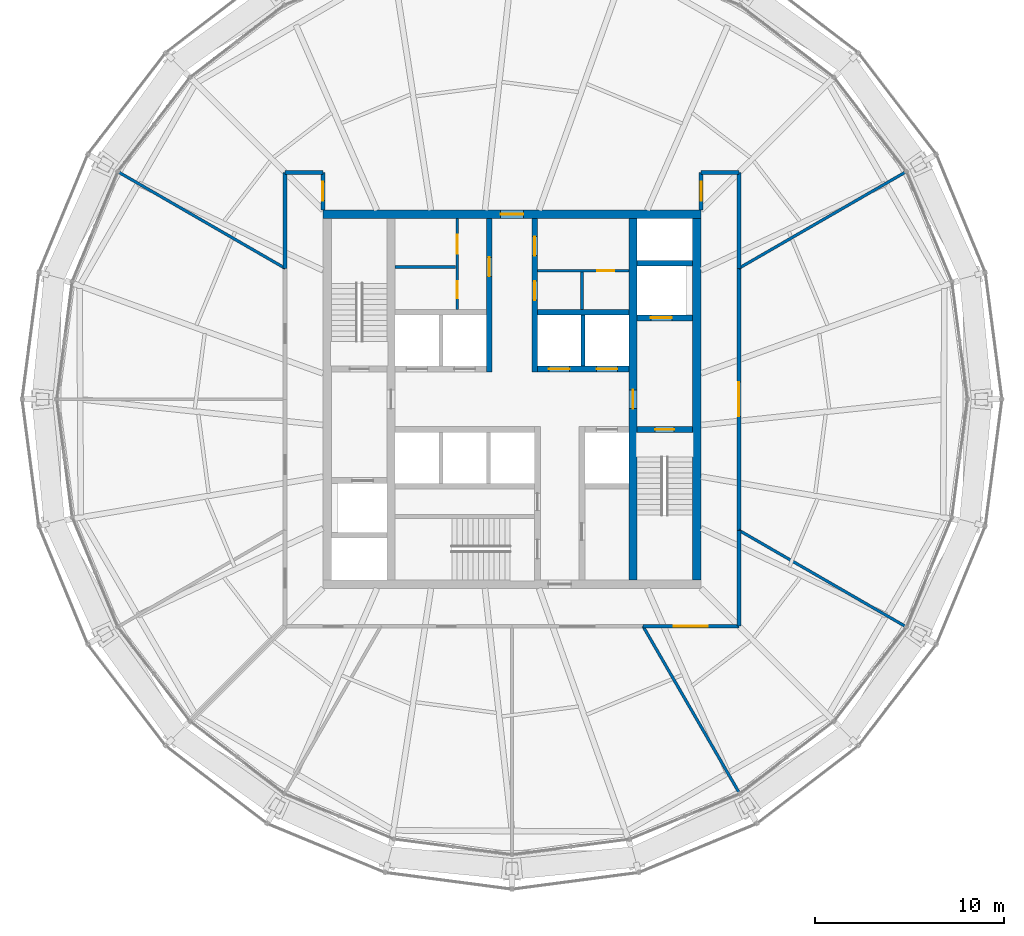
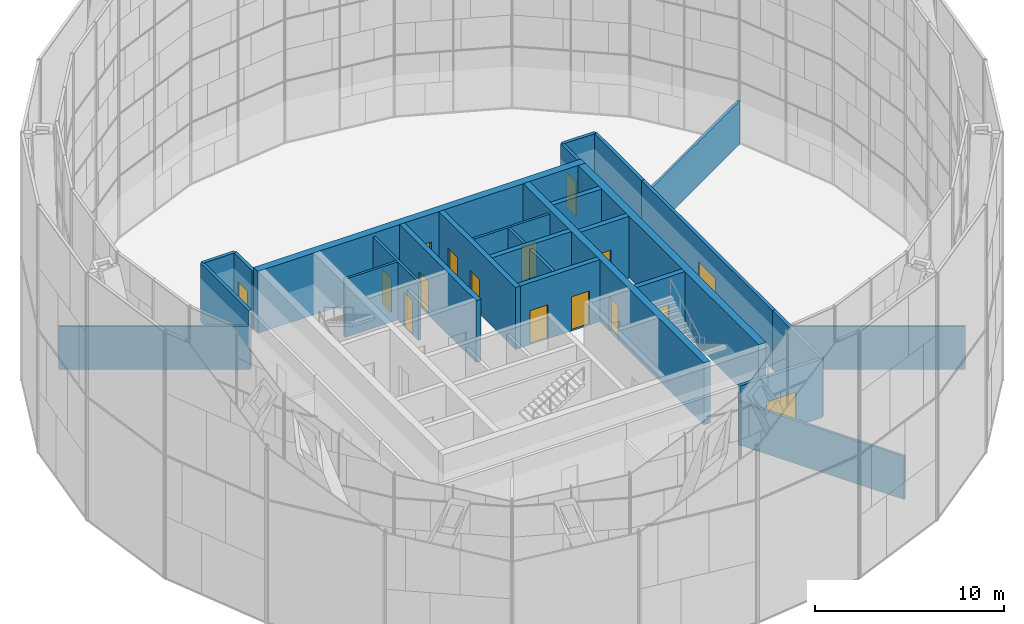
# One storey, part 28 of 30: 28 walls, 16 doors, 16 openings.
"""IFC4 building model written with IfcOpenShell, lengths in metres."""

from ifc_helpers import new_model, si_unit, direction, frame, frame_2d, origin, place, context, subcontext, project, spatial, rectangle, extrude, material, layer, layer_set, type_object, element, fill, save


model = new_model("IFC4")

# Units and contexts
model_context = context("Model", 3, precision=1e-05, world=origin(), true_north=direction((0.0, 1.0)))
body_context = subcontext(model_context, "Body", "Model", "MODEL_VIEW")
ifc_project = project(units=[si_unit("LENGTHUNIT", "METRE"), si_unit("AREAUNIT", "SQUARE_METRE"), si_unit("VOLUMEUNIT", "CUBIC_METRE"), si_unit("PLANEANGLEUNIT", "RADIAN"), si_unit("MASSUNIT", "GRAM", prefix="KILO")], contexts=[model_context])

# Site, building, storey
site_placement = place(None, origin())
site = spatial("IfcSite", under=ifc_project, at=site_placement, CompositionType="ELEMENT")
building_placement = place(site_placement, origin())
building = spatial("IfcBuilding", under=site, at=building_placement, Name="Golbaran Civic Tower", CompositionType="ELEMENT")
storey_placement = place(building_placement, frame((0.0, 0.0, 167.0)))
storey = spatial("IfcBuildingStorey", under=building, at=storey_placement, Name="L40", CompositionType="ELEMENT", Elevation=167.0)

# Wall, opening, door
ifc_material_1 = material(Name="Concrete block", Category="concrete")
ifc_layer_1 = layer(ifc_material_1, 0.14990234375, Name="Concrete block")
ifc_layer_set_1 = layer_set([ifc_layer_1], Name="Concrete block")
wall_type_1 = type_object("IfcWallType", Name="BLOCKWORK PARTITION 150", PredefinedType="PARTITIONING", material=ifc_layer_set_1)
wall_1_placement = place(storey_placement, frame((1.35009765625, 6.800048828125, 0.0), z_axis=(0.0, 0.0, 1.0), x_axis=(1.0, 0.0, 0.0)))
wall_1 = element("IfcWall", 1, at=wall_1_placement, inside=storey, type_object=wall_type_1, Name="Toilet block partition TN1 L40", PredefinedType="PARTITIONING", context=body_context, shape_type="SweptSolid", body=[
    extrude(rectangle(XDim=4.849853515625, YDim=0.14990234375, at=frame_2d((2.4248046875, 0.0))), origin(), (0.0, 0.0, 1.0), 3.75),
])
opening_1_placement = place(wall_1_placement, frame((3.14990234375, 0.0, 0.0)))
opening_1 = element("IfcOpeningElement", 2, at=opening_1_placement, cuts=wall_1, Name="Opening L40.CLN", PredefinedType="OPENING", context=body_context, shape_type="SweptSolid", body=[
    extrude(rectangle(XDim=0.89990234375, YDim=2.199951171875, at=frame_2d((0.449951171875, 1.10009765625))), frame((0.0, 0.0849609375, 0.0), z_axis=(0.0, -1.0, 0.0), x_axis=(1.0, 0.0, 0.0)), (0.0, 0.0, 1.0), 0.169921875),
])
ifc_material_2 = material(Name="Timber door set in steel frame", Category="steel")
door_type_1 = type_object("IfcDoorType", Name="RISER DOOR 900x2200", OperationType="SINGLE_SWING_LEFT", PredefinedType="DOOR", material=ifc_material_2)
door_1_placement = place(opening_1_placement, origin())
door_1 = element("IfcDoor", 3, at=door_1_placement, inside=storey, type_object=door_type_1, Name="Floor Store door", OperationType="SINGLE_SWING_RIGHT", OverallHeight=2.199951171875, OverallWidth=0.89990234375, PredefinedType="DOOR", context=body_context, shape_type="SweptSolid", body=[
    extrude(rectangle(XDim=0.89990234375, YDim=2.199951171875, at=frame_2d((0.449951171875, 1.10009765625))), frame((0.0, 0.02490234375, 0.0), z_axis=(0.0, -1.0, 0.0), x_axis=(1.0, 0.0, 0.0)), (0.0, 0.0, 1.0), 0.050048828125),
])
fill(opening_1, door_1)

# Wall
wall_2_placement = place(storey_placement, frame((3.699951171875, 4.75, 0.0), z_axis=(0.0, 0.0, 1.0), x_axis=(0.0, 1.0, 0.0)))
element("IfcWall", 4, at=wall_2_placement, inside=storey, type_object=wall_type_1, Name="Toilet block partition TN2 L40", PredefinedType="PARTITIONING", context=body_context, shape_type="SweptSolid", body=[
    extrude(rectangle(XDim=1.97509765625, YDim=0.14990234375, at=frame_2d((0.987548828125, 0.0))), origin(), (0.0, 0.0, 1.0), 3.75),
])

# Wall, opening, door
ifc_material_3 = material(Name="Concrete C50/60", Category="concrete")
ifc_layer_2 = layer(ifc_material_3, 0.39990234375, Name="Concrete C50/60")
ifc_layer_set_2 = layer_set([ifc_layer_2], Name="Concrete C50/60")
wall_type_2 = type_object("IfcWallType", Name="CORE WALL CONCRETE 400", PredefinedType="SOLIDWALL", material=ifc_layer_set_2)
wall_3_placement = place(storey_placement, frame((6.39990234375, 9.550048828125, 0.0), z_axis=(0.0, 0.0, 1.0), x_axis=(0.0, -1.0, 0.0)))
wall_3 = element("IfcWall", 5, at=wall_3_placement, inside=storey, type_object=wall_type_2, Name="Core wall IE L40", PredefinedType="SOLIDWALL", context=body_context, shape_type="SweptSolid", body=[
    extrude(rectangle(XDim=19.10009765625, YDim=0.39990234375, at=frame_2d((9.550048828125, 0.0))), origin(), (0.0, 0.0, 1.0), 4.0),
])
opening_2_placement = place(wall_3_placement, frame((9.050048828125, 0.0, 0.0)))
opening_2 = element("IfcOpeningElement", 6, at=opening_2_placement, cuts=wall_3, Name="Opening L40.FL2", PredefinedType="OPENING", context=body_context, shape_type="SweptSolid", body=[
    extrude(rectangle(XDim=1.0, YDim=2.199951171875, at=frame_2d((0.5, 1.10009765625))), frame((0.0, 0.2099609375, 0.0), z_axis=(0.0, -1.0, 0.0), x_axis=(1.0, 0.0, 0.0)), (0.0, 0.0, 1.0), 0.419921875),
])
door_type_2 = type_object("IfcDoorType", Name="STAIR DOOR 1000x2200", OperationType="SINGLE_SWING_LEFT", PredefinedType="DOOR", material=ifc_material_2)
door_2_placement = place(opening_2_placement, origin())
door_2 = element("IfcDoor", 7, at=door_2_placement, inside=storey, type_object=door_type_2, Name="Fire-fighting lobby FL2 door", OperationType="SINGLE_SWING_RIGHT", OverallHeight=2.199951171875, OverallWidth=1.0, PredefinedType="DOOR", context=body_context, shape_type="SweptSolid", body=[
    extrude(rectangle(XDim=1.0, YDim=2.199951171875, at=frame_2d((0.5, 1.10009765625))), frame((0.0, 0.02490234375, 0.0), z_axis=(0.0, -1.0, 0.0), x_axis=(1.0, 0.0, 0.0)), (0.0, 0.0, 1.0), 0.050048828125),
])
fill(opening_2, door_2)

ifc_layer_3 = layer(ifc_material_3, 0.449951171875, Name="Concrete C50/60")
ifc_layer_set_3 = layer_set([ifc_layer_3], Name="Concrete C50/60")
wall_type_3 = type_object("IfcWallType", Name="CORE WALL CONCRETE 450", PredefinedType="SOLIDWALL", material=ifc_layer_set_3)
wall_4_placement = place(storey_placement, frame((-10.0, 9.77490234375, 0.0), z_axis=(0.0, 0.0, 1.0), x_axis=(1.0, 0.0, 0.0)))
wall_4 = element("IfcWall", 8, at=wall_4_placement, inside=storey, type_object=wall_type_3, Name="Core wall CN L40", PredefinedType="SOLIDWALL", context=body_context, shape_type="SweptSolid", body=[
    extrude(rectangle(XDim=20.0, YDim=0.449951171875, at=frame_2d((10.0, 0.0))), origin(), (0.0, 0.0, 1.0), 4.0),
])
opening_3_placement = place(wall_4_placement, frame((9.39990234375, 0.0, 0.0)))
opening_3 = element("IfcOpeningElement", 9, at=opening_3_placement, cuts=wall_4, Name="Opening L40.CN", PredefinedType="OPENING", context=body_context, shape_type="SweptSolid", body=[
    extrude(rectangle(XDim=1.199951171875, YDim=2.199951171875, at=frame_2d((0.60009765625, 1.10009765625))), frame((0.0, 0.23486328125, 0.0), z_axis=(0.0, -1.0, 0.0), x_axis=(1.0, 0.0, 0.0)), (0.0, 0.0, 1.0), 0.469970703125),
])
door_type_3 = type_object("IfcDoorType", Name="CORE DOOR 1200x2200", OperationType="DOUBLE_DOOR_SINGLE_SWING", PredefinedType="DOOR", material=ifc_material_2)
door_3_placement = place(opening_3_placement, origin())
door_3 = element("IfcDoor", 10, at=door_3_placement, inside=storey, type_object=door_type_3, Name="Core door north", OperationType="DOUBLE_DOOR_SINGLE_SWING", OverallHeight=2.199951171875, OverallWidth=1.199951171875, PredefinedType="DOOR", context=body_context, shape_type="SweptSolid", body=[
    extrude(rectangle(XDim=1.199951171875, YDim=2.199951171875, at=frame_2d((0.60009765625, 1.10009765625))), frame((0.0, 0.02490234375, 0.0), z_axis=(0.0, -1.0, 0.0), x_axis=(1.0, 0.0, 0.0)), (0.0, 0.0, 1.0), 0.050048828125),
])
fill(opening_3, door_3)

# Wall
wall_5_placement = place(storey_placement, frame((9.77490234375, -9.550048828125, 0.0), z_axis=(0.0, 0.0, 1.0), x_axis=(0.0, 1.0, 0.0)))
element("IfcWall", 11, at=wall_5_placement, inside=storey, type_object=wall_type_3, Name="Core wall CE L40", PredefinedType="SOLIDWALL", context=body_context, shape_type="SweptSolid", body=[
    extrude(rectangle(XDim=19.10009765625, YDim=0.449951171875, at=frame_2d((9.550048828125, 0.0))), origin(), (0.0, 0.0, 1.0), 4.0),
])

# Wall, opening, door
ifc_material_4 = material(Name="Gypsum board on steel studs, fire-rated", Category="steel")
ifc_layer_4 = layer(ifc_material_4, 0.199951171875, Name="Gypsum board on steel studs, fire-rated")
ifc_layer_set_4 = layer_set([ifc_layer_4], Name="Gypsum board on steel studs, fire-rated")
wall_type_4 = type_object("IfcWallType", Name="CORRIDOR WALL 200", PredefinedType="PARTITIONING", material=ifc_layer_set_4)
wall_6_placement = place(storey_placement, frame((12.0, -6.92822265625, 0.0), z_axis=(0.0, 0.0, 1.0), x_axis=(0.0, 1.0, 0.0)))
wall_6 = element("IfcWall", 12, at=wall_6_placement, inside=storey, type_object=wall_type_4, Name="Corridor wall L40", PredefinedType="PARTITIONING", context=body_context, shape_type="SweptSolid", body=[
    extrude(rectangle(XDim=13.8564453125, YDim=0.199951171875, at=frame_2d((6.92822265625, 0.0))), origin(), (0.0, 0.0, 1.0), 3.800048828125),
])
opening_4_placement = place(wall_6_placement, frame((6.0283203125, 0.0, 0.0)))
opening_4 = element("IfcOpeningElement", 13, at=opening_4_placement, cuts=wall_6, Name="Opening L40.02", PredefinedType="OPENING", context=body_context, shape_type="SweptSolid", body=[
    extrude(rectangle(XDim=1.800048828125, YDim=2.199951171875, at=frame_2d((0.89990234375, 1.10009765625))), frame((0.0, 0.10986328125, 0.0), z_axis=(0.0, -1.0, 0.0), x_axis=(1.0, 0.0, 0.0)), (0.0, 0.0, 1.0), 0.219970703125),
])
door_type_4 = type_object("IfcDoorType", Name="OFFICE DOUBLE DOOR 1800x2200", OperationType="DOUBLE_DOOR_SINGLE_SWING", PredefinedType="DOOR", material=ifc_material_2)
door_4_placement = place(opening_4_placement, origin())
door_4 = element("IfcDoor", 14, at=door_4_placement, inside=storey, type_object=door_type_4, Name="Open Office door L40", OperationType="DOUBLE_DOOR_SINGLE_SWING", OverallHeight=2.199951171875, OverallWidth=1.800048828125, PredefinedType="DOOR", context=body_context, shape_type="SweptSolid", body=[
    extrude(rectangle(XDim=1.800048828125, YDim=2.199951171875, at=frame_2d((0.89990234375, 1.10009765625))), frame((0.0, 0.02490234375, 0.0), z_axis=(0.0, -1.0, 0.0), x_axis=(1.0, 0.0, 0.0)), (0.0, 0.0, 1.0), 0.050048828125),
])
fill(opening_4, door_4)

# Walls
wall_7_placement = place(storey_placement, frame((12.0, 6.92822265625, 0.0), z_axis=(0.0, 0.0, 1.0), x_axis=(0.0, 1.0, 0.0)))
element("IfcWall", 15, at=wall_7_placement, inside=storey, type_object=wall_type_4, Name="Corridor wall L40", PredefinedType="PARTITIONING", context=body_context, shape_type="SweptSolid", body=[
    extrude(rectangle(XDim=5.07177734375, YDim=0.199951171875, at=frame_2d((2.535888671875, 0.0))), origin(), (0.0, 0.0, 1.0), 3.800048828125),
])
for number, where, z_axis, x_axis, name in (
    (16, (12.0, 12.0, 0.0), (0.0, 0.0, 1.0), (-1.0, 0.0, 0.0), "Corridor wall L40"),
    (17, (-10.0, 12.0, 0.0), (0.0, 0.0, 1.0), (-1.0, 0.0, 0.0), "Corridor wall L40"),
):
    element("IfcWall", number, at=place(storey_placement, frame(where, z_axis=z_axis, x_axis=x_axis)), inside=storey, type_object=wall_type_4, Name=name, PredefinedType="PARTITIONING", context=body_context, shape_type="SweptSolid", body=[
        extrude(rectangle(XDim=2.0, YDim=0.199951171875, at=frame_2d((1.0, 0.0))), origin(), (0.0, 0.0, 1.0), 3.800048828125),
    ])
wall_8_placement = place(storey_placement, frame((-12.0, 12.0, 0.0), z_axis=(0.0, 0.0, 1.0), x_axis=(0.0, -1.0, 0.0)))
element("IfcWall", 18, at=wall_8_placement, inside=storey, type_object=wall_type_4, Name="Corridor wall L40", PredefinedType="PARTITIONING", context=body_context, shape_type="SweptSolid", body=[
    extrude(rectangle(XDim=5.07177734375, YDim=0.199951171875, at=frame_2d((2.535888671875, 0.0))), origin(), (0.0, 0.0, 1.0), 3.800048828125),
])

# Wall, opening, door
wall_9_placement = place(storey_placement, frame((6.92822265625, -12.0, 0.0), z_axis=(0.0, 0.0, 1.0), x_axis=(1.0, 0.0, 0.0)))
wall_9 = element("IfcWall", 19, at=wall_9_placement, inside=storey, type_object=wall_type_4, Name="Corridor wall L40", PredefinedType="PARTITIONING", context=body_context, shape_type="SweptSolid", body=[
    extrude(rectangle(XDim=5.07177734375, YDim=0.199951171875, at=frame_2d((2.535888671875, 0.0))), origin(), (0.0, 0.0, 1.0), 3.800048828125),
])
opening_5_placement = place(wall_9_placement, frame((1.635986328125, 0.0, 0.0)))
opening_5 = element("IfcOpeningElement", 20, at=opening_5_placement, cuts=wall_9, Name="Opening L40.09", PredefinedType="OPENING", context=body_context, shape_type="SweptSolid", body=[
    extrude(rectangle(XDim=1.800048828125, YDim=2.199951171875, at=frame_2d((0.89990234375, 1.10009765625))), frame((0.0, 0.10986328125, 0.0), z_axis=(0.0, -1.0, 0.0), x_axis=(1.0, 0.0, 0.0)), (0.0, 0.0, 1.0), 0.219970703125),
])
door_5_placement = place(opening_5_placement, origin())
door_5 = element("IfcDoor", 21, at=door_5_placement, inside=storey, type_object=door_type_4, Name="Open Office door L40", OperationType="DOUBLE_DOOR_SINGLE_SWING", OverallHeight=2.199951171875, OverallWidth=1.800048828125, PredefinedType="DOOR", context=body_context, shape_type="SweptSolid", body=[
    extrude(rectangle(XDim=1.800048828125, YDim=2.199951171875, at=frame_2d((0.89990234375, 1.10009765625))), frame((0.0, 0.02490234375, 0.0), z_axis=(0.0, -1.0, 0.0), x_axis=(1.0, 0.0, 0.0)), (0.0, 0.0, 1.0), 0.050048828125),
])
fill(opening_5, door_5)

# Wall
wall_10_placement = place(storey_placement, frame((12.0, -12.0, 0.0), z_axis=(0.0, 0.0, 1.0), x_axis=(0.0, 1.0, 0.0)))
element("IfcWall", 22, at=wall_10_placement, inside=storey, type_object=wall_type_4, Name="Corridor wall L40", PredefinedType="PARTITIONING", context=body_context, shape_type="SweptSolid", body=[
    extrude(rectangle(XDim=5.07177734375, YDim=0.199951171875, at=frame_2d((2.535888671875, 0.0))), origin(), (0.0, 0.0, 1.0), 3.800048828125),
])

# Wall, opening, door
wall_11_placement = place(storey_placement, frame((-10.0, 10.0, 0.0), z_axis=(0.0, 0.0, 1.0), x_axis=(0.0, 1.0, 0.0)))
wall_11 = element("IfcWall", 23, at=wall_11_placement, inside=storey, type_object=wall_type_4, Name="Corridor end wall L40", PredefinedType="PARTITIONING", context=body_context, shape_type="SweptSolid", body=[
    extrude(rectangle(XDim=2.0, YDim=0.199951171875, at=frame_2d((1.0, 0.0))), origin(), (0.0, 0.0, 1.0), 3.800048828125),
])
opening_6_placement = place(wall_11_placement, frame((0.5, 0.0, 0.0)))
opening_6 = element("IfcOpeningElement", 24, at=opening_6_placement, cuts=wall_11, Name="Opening L40.11", PredefinedType="OPENING", context=body_context, shape_type="SweptSolid", body=[
    extrude(rectangle(XDim=1.0, YDim=2.199951171875, at=frame_2d((0.5, 1.10009765625))), frame((0.0, 0.10986328125, 0.0), z_axis=(0.0, -1.0, 0.0), x_axis=(1.0, 0.0, 0.0)), (0.0, 0.0, 1.0), 0.219970703125),
])
door_type_5 = type_object("IfcDoorType", Name="OFFICE DOOR 1000x2200", OperationType="SINGLE_SWING_LEFT", PredefinedType="DOOR", material=ifc_material_2)
door_6_placement = place(opening_6_placement, origin())
door_6 = element("IfcDoor", 25, at=door_6_placement, inside=storey, type_object=door_type_5, Name="Open Office door L40", OperationType="SINGLE_SWING_LEFT", OverallHeight=2.199951171875, OverallWidth=1.0, PredefinedType="DOOR", context=body_context, shape_type="SweptSolid", body=[
    extrude(rectangle(XDim=1.0, YDim=2.199951171875, at=frame_2d((0.5, 1.10009765625))), frame((0.0, 0.02490234375, 0.0), z_axis=(0.0, -1.0, 0.0), x_axis=(1.0, 0.0, 0.0)), (0.0, 0.0, 1.0), 0.050048828125),
])
fill(opening_6, door_6)

wall_12_placement = place(storey_placement, frame((10.0, 10.0, 0.0), z_axis=(0.0, 0.0, 1.0), x_axis=(0.0, 1.0, 0.0)))
wall_12 = element("IfcWall", 26, at=wall_12_placement, inside=storey, type_object=wall_type_4, Name="Corridor end wall L40", PredefinedType="PARTITIONING", context=body_context, shape_type="SweptSolid", body=[
    extrude(rectangle(XDim=2.0, YDim=0.199951171875, at=frame_2d((1.0, 0.0))), origin(), (0.0, 0.0, 1.0), 3.800048828125),
])
opening_7_placement = place(wall_12_placement, frame((0.5, 0.0, 0.0)))
opening_7 = element("IfcOpeningElement", 27, at=opening_7_placement, cuts=wall_12, Name="Opening L40.12", PredefinedType="OPENING", context=body_context, shape_type="SweptSolid", body=[
    extrude(rectangle(XDim=1.0, YDim=2.199951171875, at=frame_2d((0.5, 1.10009765625))), frame((0.0, 0.10986328125, 0.0), z_axis=(0.0, -1.0, 0.0), x_axis=(1.0, 0.0, 0.0)), (0.0, 0.0, 1.0), 0.219970703125),
])
door_7_placement = place(opening_7_placement, origin())
door_7 = element("IfcDoor", 28, at=door_7_placement, inside=storey, type_object=door_type_5, Name="Open Office door L40", OperationType="SINGLE_SWING_LEFT", OverallHeight=2.199951171875, OverallWidth=1.0, PredefinedType="DOOR", context=body_context, shape_type="SweptSolid", body=[
    extrude(rectangle(XDim=1.0, YDim=2.199951171875, at=frame_2d((0.5, 1.10009765625))), frame((0.0, 0.02490234375, 0.0), z_axis=(0.0, -1.0, 0.0), x_axis=(1.0, 0.0, 0.0)), (0.0, 0.0, 1.0), 0.050048828125),
])
fill(opening_7, door_7)

# Walls
ifc_layer_5 = layer(ifc_material_1, 0.199951171875, Name="Concrete block")
ifc_layer_set_5 = layer_set([ifc_layer_5], Name="Concrete block")
wall_type_5 = type_object("IfcWallType", Name="LIFT SEPARATOR WALL 200", PredefinedType="SOLIDWALL", material=ifc_layer_set_5)
wall_13_placement = place(storey_placement, frame((3.75, 1.75, 0.0), z_axis=(0.0, 0.0, 1.0), x_axis=(0.0, 1.0, 0.0)))
element("IfcWall", 29, at=wall_13_placement, inside=storey, type_object=wall_type_5, Name="Core partition SNE L40", PredefinedType="SOLIDWALL", context=body_context, shape_type="SweptSolid", body=[
    extrude(rectangle(XDim=2.699951171875, YDim=0.199951171875, at=frame_2d((1.35009765625, 0.0))), origin(), (0.0, 0.0, 1.0), 3.75),
])
ifc_material_5 = material(Name="Gypsum board on steel studs", Category="steel")
ifc_layer_6 = layer(ifc_material_5, 0.14990234375, Name="Gypsum board on steel studs")
ifc_layer_set_6 = layer_set([ifc_layer_6], Name="Gypsum board on steel studs")
wall_type_6 = type_object("IfcWallType", Name="OFFICE PARTITION 150", PredefinedType="PARTITIONING", material=ifc_layer_set_6)
for number, where, z_axis, x_axis, name in (
    (30, (12.0, -6.92822265625, 0.0), (0.0, 0.0, 1.0), (0.866025941747, -0.49999906822, 0.0), "Partition 330 L40"),
    (31, (12.0, 6.92822265625, 0.0), (0.0, 0.0, 1.0), (0.866025941747, 0.49999906822, 0.0), "Partition 30 L40"),
    (32, (-12.0, 6.92822265625, 0.0), (0.0, 0.0, 1.0), (-0.866025941747, 0.49999906822, 0.0), "Partition 150 L40"),
    (33, (6.92822265625, -12.0, 0.0), (0.0, 0.0, 1.0), (0.49999906822, -0.866025941747, 0.0), "Partition 300 L40"),
):
    element("IfcWall", number, at=place(storey_placement, frame(where, z_axis=z_axis, x_axis=x_axis)), inside=storey, type_object=wall_type_6, Name=name, PredefinedType="PARTITIONING", context=body_context, shape_type="SweptSolid", body=[
        extrude(rectangle(XDim=10.1357421875, YDim=0.14990234375, at=frame_2d((5.06787109375, 0.0))), origin(), (0.0, 0.0, 1.0), 2.7900390625),
    ])

# Wall, openings, doors
ifc_layer_7 = layer(ifc_material_3, 0.300048828125, Name="Concrete C50/60")
ifc_layer_set_7 = layer_set([ifc_layer_7], Name="Concrete C50/60")
wall_type_7 = type_object("IfcWallType", Name="SHAFT WALL CONCRETE 300", PredefinedType="SOLIDWALL", material=ifc_layer_set_7)
wall_14_placement = place(storey_placement, frame((1.35009765625, 1.60009765625, 0.0), z_axis=(0.0, 0.0, 1.0), x_axis=(1.0, 0.0, 0.0)))
wall_14 = element("IfcWall", 34, at=wall_14_placement, inside=storey, type_object=wall_type_7, Name="Core wall FNE L40", PredefinedType="SOLIDWALL", context=body_context, shape_type="SweptSolid", body=[
    extrude(rectangle(XDim=4.849853515625, YDim=0.300048828125, at=frame_2d((2.4248046875, 0.0))), origin(), (0.0, 0.0, 1.0), 4.0),
])
opening_8_placement = place(wall_14_placement, frame((0.60009765625, 0.0, 0.0)))
opening_8 = element("IfcOpeningElement", 35, at=opening_8_placement, cuts=wall_14, Name="Opening L40.LD-Z3H", PredefinedType="OPENING", context=body_context, shape_type="SweptSolid", body=[
    extrude(rectangle(XDim=1.10009765625, YDim=2.199951171875, at=frame_2d((0.550048828125, 1.10009765625))), frame((0.0, 0.159912109375, 0.0), z_axis=(0.0, -1.0, 0.0), x_axis=(1.0, 0.0, 0.0)), (0.0, 0.0, 1.0), 0.320068359375),
])
opening_9_placement = place(wall_14_placement, frame((3.125, 0.0, 0.0)))
opening_9 = element("IfcOpeningElement", 36, at=opening_9_placement, cuts=wall_14, Name="Opening L40.LD-Z4H", PredefinedType="OPENING", context=body_context, shape_type="SweptSolid", body=[
    extrude(rectangle(XDim=1.10009765625, YDim=2.199951171875, at=frame_2d((0.550048828125, 1.10009765625))), frame((0.0, 0.159912109375, 0.0), z_axis=(0.0, -1.0, 0.0), x_axis=(1.0, 0.0, 0.0)), (0.0, 0.0, 1.0), 0.320068359375),
])
ifc_material_6 = material(Name="Stainless steel", Category="steel")
door_type_6 = type_object("IfcDoorType", Name="LIFT LANDING DOOR 1100x2200", OperationType="SLIDING_TO_LEFT", PredefinedType="DOOR", material=ifc_material_6)
door_8_placement = place(opening_8_placement, origin())
door_8 = element("IfcDoor", 37, at=door_8_placement, inside=storey, type_object=door_type_6, Name="Lift landing door Z3H", OperationType="SLIDING_TO_LEFT", OverallHeight=2.199951171875, OverallWidth=1.10009765625, PredefinedType="DOOR", context=body_context, shape_type="SweptSolid", body=[
    extrude(rectangle(XDim=1.10009765625, YDim=2.199951171875, at=frame_2d((0.550048828125, 1.10009765625))), frame((0.0, 0.02490234375, 0.0), z_axis=(0.0, -1.0, 0.0), x_axis=(1.0, 0.0, 0.0)), (0.0, 0.0, 1.0), 0.050048828125),
])
fill(opening_8, door_8)
door_9_placement = place(opening_9_placement, origin())
door_9 = element("IfcDoor", 38, at=door_9_placement, inside=storey, type_object=door_type_6, Name="Lift landing door Z4H", OperationType="SLIDING_TO_LEFT", OverallHeight=2.199951171875, OverallWidth=1.10009765625, PredefinedType="DOOR", context=body_context, shape_type="SweptSolid", body=[
    extrude(rectangle(XDim=1.10009765625, YDim=2.199951171875, at=frame_2d((0.550048828125, 1.10009765625))), frame((0.0, 0.02490234375, 0.0), z_axis=(0.0, -1.0, 0.0), x_axis=(1.0, 0.0, 0.0)), (0.0, 0.0, 1.0), 0.050048828125),
])
fill(opening_9, door_9)

# Wall
wall_15_placement = place(storey_placement, frame((1.35009765625, 4.60009765625, 0.0), z_axis=(0.0, 0.0, 1.0), x_axis=(1.0, 0.0, 0.0)))
element("IfcWall", 39, at=wall_15_placement, inside=storey, type_object=wall_type_7, Name="Core wall BNE L40", PredefinedType="SOLIDWALL", context=body_context, shape_type="SweptSolid", body=[
    extrude(rectangle(XDim=4.849853515625, YDim=0.300048828125, at=frame_2d((2.4248046875, 0.0))), origin(), (0.0, 0.0, 1.0), 4.0),
])

# Wall, opening, door
wall_16_placement = place(storey_placement, frame((-1.199951171875, 1.449951171875, 0.0), z_axis=(0.0, 0.0, 1.0), x_axis=(0.0, 1.0, 0.0)))
wall_16 = element("IfcWall", 40, at=wall_16_placement, inside=storey, type_object=wall_type_7, Name="Core wall PNW L40", PredefinedType="SOLIDWALL", context=body_context, shape_type="SweptSolid", body=[
    extrude(rectangle(XDim=8.10009765625, YDim=0.300048828125, at=frame_2d((4.050048828125, 0.0))), origin(), (0.0, 0.0, 1.0), 4.0),
])
opening_10_placement = place(wall_16_placement, frame((5.050048828125, 0.0, 0.0)))
opening_10 = element("IfcOpeningElement", 41, at=opening_10_placement, cuts=wall_16, Name="Opening L40.WCM", PredefinedType="OPENING", context=body_context, shape_type="SweptSolid", body=[
    extrude(rectangle(XDim=1.0, YDim=2.199951171875, at=frame_2d((0.5, 1.10009765625))), frame((0.0, 0.159912109375, 0.0), z_axis=(0.0, -1.0, 0.0), x_axis=(1.0, 0.0, 0.0)), (0.0, 0.0, 1.0), 0.320068359375),
])
door_type_7 = type_object("IfcDoorType", Name="TOILET DOOR 1000x2200", OperationType="SINGLE_SWING_LEFT", PredefinedType="DOOR", material=ifc_material_2)
door_10_placement = place(opening_10_placement, origin())
door_10 = element("IfcDoor", 42, at=door_10_placement, inside=storey, type_object=door_type_7, Name="North-west toilet block door", OperationType="SINGLE_SWING_RIGHT", OverallHeight=2.199951171875, OverallWidth=1.0, PredefinedType="DOOR", context=body_context, shape_type="SweptSolid", body=[
    extrude(rectangle(XDim=1.0, YDim=2.199951171875, at=frame_2d((0.5, 1.10009765625))), frame((0.0, 0.02490234375, 0.0), z_axis=(0.0, -1.0, 0.0), x_axis=(1.0, 0.0, 0.0)), (0.0, 0.0, 1.0), 0.050048828125),
])
fill(opening_10, door_10)

# Wall, openings, doors
wall_17_placement = place(storey_placement, frame((1.199951171875, 1.449951171875, 0.0), z_axis=(0.0, 0.0, 1.0), x_axis=(0.0, 1.0, 0.0)))
wall_17 = element("IfcWall", 43, at=wall_17_placement, inside=storey, type_object=wall_type_7, Name="Core wall PNE L40", PredefinedType="SOLIDWALL", context=body_context, shape_type="SweptSolid", body=[
    extrude(rectangle(XDim=8.10009765625, YDim=0.300048828125, at=frame_2d((4.050048828125, 0.0))), origin(), (0.0, 0.0, 1.0), 4.0),
])
opening_11_placement = place(wall_17_placement, frame((3.800048828125, 0.0, 0.0)))
opening_11 = element("IfcOpeningElement", 44, at=opening_11_placement, cuts=wall_17, Name="Opening L40.WCA", PredefinedType="OPENING", context=body_context, shape_type="SweptSolid", body=[
    extrude(rectangle(XDim=1.0, YDim=2.199951171875, at=frame_2d((0.5, 1.10009765625))), frame((0.0, 0.159912109375, 0.0), z_axis=(0.0, -1.0, 0.0), x_axis=(1.0, 0.0, 0.0)), (0.0, 0.0, 1.0), 0.320068359375),
])
opening_12_placement = place(wall_17_placement, frame((6.14990234375, 0.0, 0.0)))
opening_12 = element("IfcOpeningElement", 45, at=opening_12_placement, cuts=wall_17, Name="Opening L40.WCF", PredefinedType="OPENING", context=body_context, shape_type="SweptSolid", body=[
    extrude(rectangle(XDim=1.0, YDim=2.199951171875, at=frame_2d((0.5, 1.10009765625))), frame((0.0, 0.159912109375, 0.0), z_axis=(0.0, -1.0, 0.0), x_axis=(1.0, 0.0, 0.0)), (0.0, 0.0, 1.0), 0.320068359375),
])
door_11_placement = place(opening_11_placement, origin())
door_11 = element("IfcDoor", 46, at=door_11_placement, inside=storey, type_object=door_type_7, Name="Accessible WC door", OperationType="SINGLE_SWING_RIGHT", OverallHeight=2.199951171875, OverallWidth=1.0, PredefinedType="DOOR", context=body_context, shape_type="SweptSolid", body=[
    extrude(rectangle(XDim=1.0, YDim=2.199951171875, at=frame_2d((0.5, 1.10009765625))), frame((0.0, 0.02490234375, 0.0), z_axis=(0.0, -1.0, 0.0), x_axis=(1.0, 0.0, 0.0)), (0.0, 0.0, 1.0), 0.050048828125),
])
fill(opening_11, door_11)
door_12_placement = place(opening_12_placement, origin())
door_12 = element("IfcDoor", 47, at=door_12_placement, inside=storey, type_object=door_type_7, Name="North-east toilet block door", OperationType="SINGLE_SWING_RIGHT", OverallHeight=2.199951171875, OverallWidth=1.0, PredefinedType="DOOR", context=body_context, shape_type="SweptSolid", body=[
    extrude(rectangle(XDim=1.0, YDim=2.199951171875, at=frame_2d((0.5, 1.10009765625))), frame((0.0, 0.02490234375, 0.0), z_axis=(0.0, -1.0, 0.0), x_axis=(1.0, 0.0, 0.0)), (0.0, 0.0, 1.0), 0.050048828125),
])
fill(opening_12, door_12)

# Wall, opening, door
wall_18_placement = place(storey_placement, frame((6.60009765625, -1.60009765625, 0.0), z_axis=(0.0, 0.0, 1.0), x_axis=(1.0, 0.0, 0.0)))
wall_18 = element("IfcWall", 48, at=wall_18_placement, inside=storey, type_object=wall_type_7, Name="Core wall XE1 L40", PredefinedType="SOLIDWALL", context=body_context, shape_type="SweptSolid", body=[
    extrude(rectangle(XDim=2.949951171875, YDim=0.300048828125, at=frame_2d((1.47509765625, 0.0))), origin(), (0.0, 0.0, 1.0), 4.0),
])
opening_13_placement = place(wall_18_placement, frame((0.97509765625, 0.0, 0.0)))
opening_13 = element("IfcOpeningElement", 49, at=opening_13_placement, cuts=wall_18, Name="Opening L40.S2", PredefinedType="OPENING", context=body_context, shape_type="SweptSolid", body=[
    extrude(rectangle(XDim=1.0, YDim=2.199951171875, at=frame_2d((0.5, 1.10009765625))), frame((0.0, 0.159912109375, 0.0), z_axis=(0.0, -1.0, 0.0), x_axis=(1.0, 0.0, 0.0)), (0.0, 0.0, 1.0), 0.320068359375),
])
door_13_placement = place(opening_13_placement, origin())
door_13 = element("IfcDoor", 50, at=door_13_placement, inside=storey, type_object=door_type_2, Name="Stair S2 door", OperationType="SINGLE_SWING_LEFT", OverallHeight=2.199951171875, OverallWidth=1.0, PredefinedType="DOOR", context=body_context, shape_type="SweptSolid", body=[
    extrude(rectangle(XDim=1.0, YDim=2.199951171875, at=frame_2d((0.5, 1.10009765625))), frame((0.0, 0.02490234375, 0.0), z_axis=(0.0, -1.0, 0.0), x_axis=(1.0, 0.0, 0.0)), (0.0, 0.0, 1.0), 0.050048828125),
])
fill(opening_13, door_13)

wall_19_placement = place(storey_placement, frame((6.60009765625, 4.300048828125, 0.0), z_axis=(0.0, 0.0, 1.0), x_axis=(1.0, 0.0, 0.0)))
wall_19 = element("IfcWall", 51, at=wall_19_placement, inside=storey, type_object=wall_type_7, Name="Core wall XE2 L40", PredefinedType="SOLIDWALL", context=body_context, shape_type="SweptSolid", body=[
    extrude(rectangle(XDim=2.949951171875, YDim=0.300048828125, at=frame_2d((1.47509765625, 0.0))), origin(), (0.0, 0.0, 1.0), 4.0),
])
opening_14_placement = place(wall_19_placement, frame((0.75, 0.0, 0.0)))
opening_14 = element("IfcOpeningElement", 52, at=opening_14_placement, cuts=wall_19, Name="Opening L40.LD-F2", PredefinedType="OPENING", context=body_context, shape_type="SweptSolid", body=[
    extrude(rectangle(XDim=1.10009765625, YDim=2.199951171875, at=frame_2d((0.550048828125, 1.10009765625))), frame((0.0, 0.159912109375, 0.0), z_axis=(0.0, -1.0, 0.0), x_axis=(1.0, 0.0, 0.0)), (0.0, 0.0, 1.0), 0.320068359375),
])
door_14_placement = place(opening_14_placement, origin())
door_14 = element("IfcDoor", 53, at=door_14_placement, inside=storey, type_object=door_type_6, Name="Lift landing door F2", OperationType="SLIDING_TO_LEFT", OverallHeight=2.199951171875, OverallWidth=1.10009765625, PredefinedType="DOOR", context=body_context, shape_type="SweptSolid", body=[
    extrude(rectangle(XDim=1.10009765625, YDim=2.199951171875, at=frame_2d((0.550048828125, 1.10009765625))), frame((0.0, 0.02490234375, 0.0), z_axis=(0.0, -1.0, 0.0), x_axis=(1.0, 0.0, 0.0)), (0.0, 0.0, 1.0), 0.050048828125),
])
fill(opening_14, door_14)

# Wall
wall_20_placement = place(storey_placement, frame((6.60009765625, 7.199951171875, 0.0), z_axis=(0.0, 0.0, 1.0), x_axis=(1.0, 0.0, 0.0)))
element("IfcWall", 54, at=wall_20_placement, inside=storey, type_object=wall_type_7, Name="Core wall XE3 L40", PredefinedType="SOLIDWALL", context=body_context, shape_type="SweptSolid", body=[
    extrude(rectangle(XDim=2.949951171875, YDim=0.300048828125, at=frame_2d((1.47509765625, 0.0))), origin(), (0.0, 0.0, 1.0), 4.0),
])

# Wall, openings, doors
ifc_material_7 = material(Name="Moisture-resistant gypsum board on steel studs", Category="steel")
ifc_layer_8 = layer(ifc_material_7, 0.14990234375, Name="Moisture-resistant gypsum board on steel studs")
ifc_layer_set_8 = layer_set([ifc_layer_8], Name="Moisture-resistant gypsum board on steel studs")
wall_type_8 = type_object("IfcWallType", Name="TOILET BLOCK PARTITION 150", PredefinedType="PARTITIONING", material=ifc_layer_set_8)
wall_21_placement = place(storey_placement, frame((-2.89990234375, 4.75, 0.0), z_axis=(0.0, 0.0, 1.0), x_axis=(0.0, 1.0, 0.0)))
wall_21 = element("IfcWall", 55, at=wall_21_placement, inside=storey, type_object=wall_type_8, Name="Toilet block partition MWL L40", PredefinedType="PARTITIONING", context=body_context, shape_type="SweptSolid", body=[
    extrude(rectangle(XDim=4.800048828125, YDim=0.14990234375, at=frame_2d((2.39990234375, 0.0))), origin(), (0.0, 0.0, 1.0), 3.75),
])
opening_15_placement = place(wall_21_placement, frame((2.949951171875, 0.0, 0.0)))
opening_15 = element("IfcOpeningElement", 56, at=opening_15_placement, cuts=wall_21, Name="Opening L40.10", PredefinedType="OPENING", context=body_context, shape_type="SweptSolid", body=[
    extrude(rectangle(XDim=1.0, YDim=2.199951171875, at=frame_2d((0.5, 1.10009765625))), frame((0.0, 0.0849609375, 0.0), z_axis=(0.0, -1.0, 0.0), x_axis=(1.0, 0.0, 0.0)), (0.0, 0.0, 1.0), 0.169921875),
])
opening_16_placement = place(wall_21_placement, frame((0.60009765625, 0.0, 0.0)))
opening_16 = element("IfcOpeningElement", 57, at=opening_16_placement, cuts=wall_21, Name="Opening L40.01", PredefinedType="OPENING", context=body_context, shape_type="SweptSolid", body=[
    extrude(rectangle(XDim=0.89990234375, YDim=2.199951171875, at=frame_2d((0.449951171875, 1.10009765625))), frame((0.0, 0.0849609375, 0.0), z_axis=(0.0, -1.0, 0.0), x_axis=(1.0, 0.0, 0.0)), (0.0, 0.0, 1.0), 0.169921875),
])
door_15_placement = place(opening_16_placement, origin())
door_15 = element("IfcDoor", 58, at=door_15_placement, inside=storey, type_object=door_type_1, Name="IT and comms room door", OperationType="SINGLE_SWING_LEFT", OverallHeight=2.199951171875, OverallWidth=0.89990234375, PredefinedType="DOOR", context=body_context, shape_type="SweptSolid", body=[
    extrude(rectangle(XDim=0.89990234375, YDim=2.199951171875, at=frame_2d((0.449951171875, 1.10009765625))), frame((0.0, 0.02490234375, 0.0), z_axis=(0.0, -1.0, 0.0), x_axis=(1.0, 0.0, 0.0)), (0.0, 0.0, 1.0), 0.050048828125),
])
fill(opening_16, door_15)
door_16_placement = place(opening_15_placement, origin())
door_16 = element("IfcDoor", 59, at=door_16_placement, inside=storey, type_object=door_type_7, Name="Female WC door", OperationType="SINGLE_SWING_RIGHT", OverallHeight=2.199951171875, OverallWidth=1.0, PredefinedType="DOOR", context=body_context, shape_type="SweptSolid", body=[
    extrude(rectangle(XDim=1.0, YDim=2.199951171875, at=frame_2d((0.5, 1.10009765625))), frame((0.0, 0.02490234375, 0.0), z_axis=(0.0, -1.0, 0.0), x_axis=(1.0, 0.0, 0.0)), (0.0, 0.0, 1.0), 0.050048828125),
])
fill(opening_15, door_16)

# Wall
wall_22_placement = place(storey_placement, frame((-6.199951171875, 7.0, 0.0), z_axis=(0.0, 0.0, 1.0), x_axis=(1.0, 0.0, 0.0)))
element("IfcWall", 60, at=wall_22_placement, inside=storey, type_object=wall_type_8, Name="Toilet block partition MWX L40", PredefinedType="PARTITIONING", context=body_context, shape_type="SweptSolid", body=[
    extrude(rectangle(XDim=3.224853515625, YDim=0.14990234375, at=frame_2d((1.6123046875, 0.0))), origin(), (0.0, 0.0, 1.0), 3.75),
])

save(model, "model.ifc")
